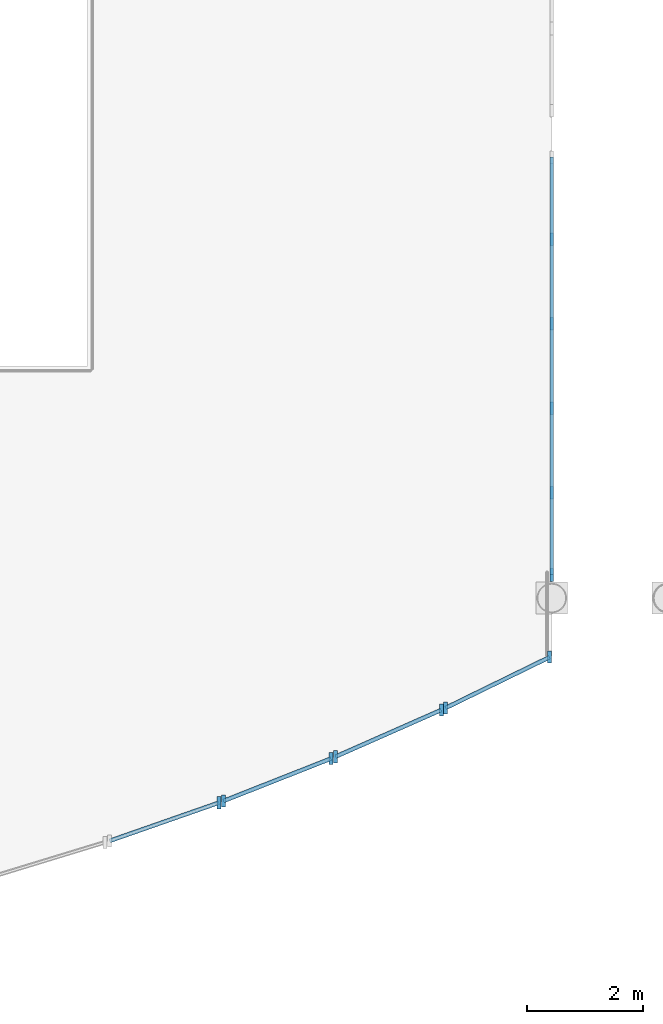
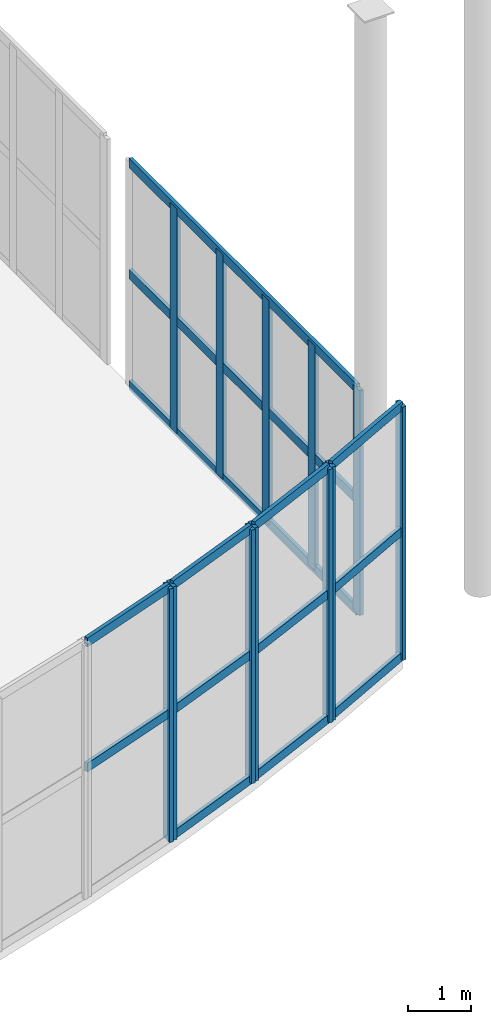
# One storey, part 28 of 77: 26 members, 5 elements without a shape of their own.
"""IFC4 building model written with IfcOpenShell, lengths in metres."""

from ifc_helpers import new_model, si_unit, direction, frame, origin, origin_2d, place, context, subcontext, project, spatial, rectangle, extrude, material, material_profile, profile_set, type_object, element, aggregate, save


model = new_model("IFC4")

# Units and contexts
model_context = context("Model", 3, precision=1e-05, world=origin(), true_north=direction((0.0, 1.0)))
body_context = subcontext(model_context, "Body", "Model", "MODEL_VIEW")
ifc_project = project(units=[si_unit("LENGTHUNIT", "METRE"), si_unit("AREAUNIT", "SQUARE_METRE"), si_unit("VOLUMEUNIT", "CUBIC_METRE"), si_unit("PLANEANGLEUNIT", "RADIAN"), si_unit("MASSUNIT", "GRAM", prefix="KILO")], contexts=[model_context])

# Site, building, storey
site_placement = place(None, origin())
site = spatial("IfcSite", under=ifc_project, at=site_placement, CompositionType="ELEMENT")
building_placement = place(site_placement, origin())
building = spatial("IfcBuilding", under=site, at=building_placement, Name="Drelvath Fold Interchange", CompositionType="ELEMENT")
storey_placement = place(building_placement, frame((0.0, 0.0, 6.0)))
storey = spatial("IfcBuildingStorey", under=building, at=storey_placement, Name="L01", CompositionType="ELEMENT", Elevation=6.0)

# Curtain wall, member
ifc_material = material(Name="Anodized Aluminium 6063-T6", Category="aluminium")
curtain_wall_type_1 = type_object("IfcCurtainWallType", Name="CW-ARC-L01", PredefinedType="USERDEFINED", material=ifc_material)
curtain_wall_1_placement = place(storey_placement, origin())
curtain_wall_1 = element("IfcCurtainWall", 1, at=curtain_wall_1_placement, inside=storey, type_object=curtain_wall_type_1, Name="Curtain wall CW-WH-L01-20", ObjectType="UNITISED CURTAIN WALL", PredefinedType="USERDEFINED")
ifc_material_profile_1 = material_profile(ifc_material, rectangle(XDim=0.070068359375, YDim=0.2099609375, at=origin_2d()), Name="AL-M 70x210")
ifc_profile_set_1 = profile_set([ifc_material_profile_1], Name="Anodized Aluminium 6063-T6")
member_type_1 = type_object("IfcMemberType", Name="ML-210", PredefinedType="MULLION", material=ifc_profile_set_1)
member_1_placement = place(storey_placement, frame((94.263916015625, 23.472900390625, 0.0), z_axis=(0.0, 0.0, 1.0), x_axis=(1.0, 0.0, 0.0)))
member_1 = element("IfcMember", 2, at=member_1_placement, type_object=member_type_1, Name="CW-WH-L01-20 mullion 1", PredefinedType="MULLION", context=body_context, shape_type="SweptSolid", body=[
    extrude(rectangle(XDim=0.070068359375, YDim=0.2099609375, at=origin_2d()), origin(), (0.0, 0.0, 1.0), 4.89990234375),
])

# Curtain wall, members
curtain_wall_2_placement = place(storey_placement, origin())
curtain_wall_2 = element("IfcCurtainWall", 3, at=curtain_wall_2_placement, inside=storey, type_object=curtain_wall_type_1, Name="Curtain wall CW-WH-L01-21", ObjectType="UNITISED CURTAIN WALL", PredefinedType="USERDEFINED")
member_2_placement = place(storey_placement, frame((94.339111328125, 23.5009765625, 0.0), z_axis=(0.0, 0.0, 1.0), x_axis=(1.0, 0.0, 0.0)))
member_2 = element("IfcMember", 4, at=member_2_placement, type_object=member_type_1, Name="CW-WH-L01-21 mullion 0", PredefinedType="MULLION", context=body_context, shape_type="SweptSolid", body=[
    extrude(rectangle(XDim=0.070068359375, YDim=0.2099609375, at=origin_2d()), origin(), (0.0, 0.0, 1.0), 4.89990234375),
])
member_3_placement = place(storey_placement, frame((96.197021484375, 24.23388671875, 0.0), z_axis=(0.0, 0.0, 1.0), x_axis=(1.0, 0.0, 0.0)))
member_3 = element("IfcMember", 5, at=member_3_placement, type_object=member_type_1, Name="CW-WH-L01-21 mullion 1", PredefinedType="MULLION", context=body_context, shape_type="SweptSolid", body=[
    extrude(rectangle(XDim=0.070068359375, YDim=0.2099609375, at=origin_2d()), origin(), (0.0, 0.0, 1.0), 4.89990234375),
])

curtain_wall_3_placement = place(storey_placement, origin())
curtain_wall_3 = element("IfcCurtainWall", 6, at=curtain_wall_3_placement, inside=storey, type_object=curtain_wall_type_1, Name="Curtain wall CW-WH-L01-22", ObjectType="UNITISED CURTAIN WALL", PredefinedType="USERDEFINED")
member_4_placement = place(storey_placement, frame((96.27099609375, 24.264892578125, 0.0), z_axis=(0.0, 0.0, 1.0), x_axis=(1.0, 0.0, 0.0)))
member_4 = element("IfcMember", 7, at=member_4_placement, type_object=member_type_1, Name="CW-WH-L01-22 mullion 0", PredefinedType="MULLION", context=body_context, shape_type="SweptSolid", body=[
    extrude(rectangle(XDim=0.070068359375, YDim=0.2099609375, at=origin_2d()), origin(), (0.0, 0.0, 1.0), 4.89990234375),
])
member_5_placement = place(storey_placement, frame((98.096923828125, 25.071044921875, 0.0), z_axis=(0.0, 0.0, 1.0), x_axis=(1.0, 0.0, 0.0)))
member_5 = element("IfcMember", 8, at=member_5_placement, type_object=member_type_1, Name="CW-WH-L01-22 mullion 1", PredefinedType="MULLION", context=body_context, shape_type="SweptSolid", body=[
    extrude(rectangle(XDim=0.070068359375, YDim=0.2099609375, at=origin_2d()), origin(), (0.0, 0.0, 1.0), 4.89990234375),
])

curtain_wall_4_placement = place(storey_placement, origin())
curtain_wall_4 = element("IfcCurtainWall", 9, at=curtain_wall_4_placement, inside=storey, type_object=curtain_wall_type_1, Name="Curtain wall CW-WH-L01-23", ObjectType="UNITISED CURTAIN WALL", PredefinedType="USERDEFINED")
member_6_placement = place(storey_placement, frame((98.169921875, 25.10498046875, 0.0), z_axis=(0.0, 0.0, 1.0), x_axis=(1.0, 0.0, 0.0)))
member_6 = element("IfcMember", 10, at=member_6_placement, type_object=member_type_1, Name="CW-WH-L01-23 mullion 0", PredefinedType="MULLION", context=body_context, shape_type="SweptSolid", body=[
    extrude(rectangle(XDim=0.070068359375, YDim=0.2099609375, at=origin_2d()), origin(), (0.0, 0.0, 1.0), 4.89990234375),
])
member_7_placement = place(storey_placement, frame((99.964111328125, 25.98193359375, 0.0), z_axis=(0.0, 0.0, 1.0), x_axis=(1.0, 0.0, 0.0)))
member_7 = element("IfcMember", 11, at=member_7_placement, type_object=member_type_1, Name="CW-WH-L01-23 mullion 1", PredefinedType="MULLION", context=body_context, shape_type="SweptSolid", body=[
    extrude(rectangle(XDim=0.070068359375, YDim=0.2099609375, at=origin_2d()), origin(), (0.0, 0.0, 1.0), 4.89990234375),
])

curtain_wall_type_2 = type_object("IfcCurtainWallType", Name="CW-CON-520", PredefinedType="USERDEFINED", material=ifc_material)
curtain_wall_5_placement = place(storey_placement, origin())
curtain_wall_5 = element("IfcCurtainWall", 12, at=curtain_wall_5_placement, inside=storey, type_object=curtain_wall_type_2, Name="Curtain wall CW-V1E-L01-Y27", ObjectType="UNITISED CURTAIN WALL", PredefinedType="USERDEFINED")
ifc_material_profile_2 = material_profile(ifc_material, rectangle(XDim=0.06494140625, YDim=0.219970703125, at=origin_2d()), Name="AL-M 65x220")
ifc_profile_set_2 = profile_set([ifc_material_profile_2], Name="Anodized Aluminium 6063-T6")
member_type_2 = type_object("IfcMemberType", Name="ML-220", PredefinedType="MULLION", material=ifc_profile_set_2)
member_8_placement = place(storey_placement, frame((100.0, 27.39990234375, 0.0), z_axis=(0.0, 0.0, 1.0), x_axis=(1.0, 0.0, 0.0)))
member_8 = element("IfcMember", 13, at=member_8_placement, type_object=member_type_2, Name="CW-V1E-L01-Y27 mullion 0", PredefinedType="MULLION", context=body_context, shape_type="SweptSolid", body=[
    extrude(rectangle(XDim=0.06494140625, YDim=0.219970703125, at=origin_2d()), origin(), (0.0, 0.0, 1.0), 4.35009765625),
])
member_9_placement = place(storey_placement, frame((100.0, 28.81591796875, 0.0), z_axis=(0.0, 0.0, 1.0), x_axis=(1.0, 0.0, 0.0)))
member_9 = element("IfcMember", 14, at=member_9_placement, type_object=member_type_2, Name="CW-V1E-L01-Y27 mullion 1", PredefinedType="MULLION", context=body_context, shape_type="SweptSolid", body=[
    extrude(rectangle(XDim=0.06494140625, YDim=0.219970703125, at=origin_2d()), origin(), (0.0, 0.0, 1.0), 4.35009765625),
])
member_10_placement = place(storey_placement, frame((100.0, 30.27197265625, 0.0), z_axis=(0.0, 0.0, 1.0), x_axis=(1.0, 0.0, 0.0)))
member_10 = element("IfcMember", 15, at=member_10_placement, type_object=member_type_2, Name="CW-V1E-L01-Y27 mullion 2", PredefinedType="MULLION", context=body_context, shape_type="SweptSolid", body=[
    extrude(rectangle(XDim=0.06494140625, YDim=0.219970703125, at=origin_2d()), origin(), (0.0, 0.0, 1.0), 4.35009765625),
])
member_11_placement = place(storey_placement, frame((100.0, 31.72802734375, 0.0), z_axis=(0.0, 0.0, 1.0), x_axis=(1.0, 0.0, 0.0)))
member_11 = element("IfcMember", 16, at=member_11_placement, type_object=member_type_2, Name="CW-V1E-L01-Y27 mullion 3", PredefinedType="MULLION", context=body_context, shape_type="SweptSolid", body=[
    extrude(rectangle(XDim=0.06494140625, YDim=0.219970703125, at=origin_2d()), origin(), (0.0, 0.0, 1.0), 4.35009765625),
])
member_12_placement = place(storey_placement, frame((100.0, 33.18408203125, 0.0), z_axis=(0.0, 0.0, 1.0), x_axis=(1.0, 0.0, 0.0)))
member_12 = element("IfcMember", 17, at=member_12_placement, type_object=member_type_2, Name="CW-V1E-L01-Y27 mullion 4", PredefinedType="MULLION", context=body_context, shape_type="SweptSolid", body=[
    extrude(rectangle(XDim=0.06494140625, YDim=0.219970703125, at=origin_2d()), origin(), (0.0, 0.0, 1.0), 4.35009765625),
])

# Member
ifc_material_profile_3 = material_profile(ifc_material, rectangle(XDim=0.070068359375, YDim=0.169921875, at=origin_2d()), Name="AL-T 70x170")
ifc_profile_set_3 = profile_set([ifc_material_profile_3], Name="Anodized Aluminium 6063-T6")
member_type_3 = type_object("IfcMemberType", Name="TR-170", PredefinedType="USERDEFINED", material=ifc_profile_set_3)
member_13_placement = place(storey_placement, frame((92.37890625, 22.81396484375, 2.449951171875), z_axis=(0.943985993954, 0.32998551971, 0.0), x_axis=(-0.32998551971, 0.943985993954, 0.0)))
member_13 = element("IfcMember", 18, at=member_13_placement, type_object=member_type_3, Name="CW-WH-L01-20 transom 1", ObjectType="TRANSOM", PredefinedType="USERDEFINED", context=body_context, shape_type="SweptSolid", body=[
    extrude(rectangle(XDim=0.070068359375, YDim=0.169921875, at=origin_2d()), origin(), (0.0, 0.0, 1.0), 1.996826171875),
])

member_14_placement = place(storey_placement, frame((92.37890625, 22.81396484375, 4.8701171875), z_axis=(0.943985993954, 0.32998551971, 0.0), x_axis=(-0.32998551971, 0.943985993954, 0.0)))
member_14 = element("IfcMember", 19, at=member_14_placement, type_object=member_type_3, Name="CW-WH-L01-20 transom 2", ObjectType="TRANSOM", PredefinedType="USERDEFINED", context=body_context, shape_type="SweptSolid", body=[
    extrude(rectangle(XDim=0.070068359375, YDim=0.169921875, at=origin_2d()), origin(), (0.0, 0.0, 1.0), 1.996826171875),
])

aggregate(curtain_wall_1, [member_1, member_13, member_14])

member_15_placement = place(storey_placement, frame((94.339111328125, 23.5009765625, 0.030029296875), z_axis=(0.930236495688, 0.366960572938, 0.0), x_axis=(-0.366960572938, 0.930236495688, 0.0)))
member_15 = element("IfcMember", 20, at=member_15_placement, type_object=member_type_3, Name="CW-WH-L01-21 transom 0", ObjectType="TRANSOM", PredefinedType="USERDEFINED", context=body_context, shape_type="SweptSolid", body=[
    extrude(rectangle(XDim=0.070068359375, YDim=0.169921875, at=origin_2d()), origin(), (0.0, 0.0, 1.0), 1.997314453125),
])

member_16_placement = place(storey_placement, frame((94.339111328125, 23.5009765625, 2.449951171875), z_axis=(0.930236495688, 0.366960572938, 0.0), x_axis=(-0.366960572938, 0.930236495688, 0.0)))
member_16 = element("IfcMember", 21, at=member_16_placement, type_object=member_type_3, Name="CW-WH-L01-21 transom 1", ObjectType="TRANSOM", PredefinedType="USERDEFINED", context=body_context, shape_type="SweptSolid", body=[
    extrude(rectangle(XDim=0.070068359375, YDim=0.169921875, at=origin_2d()), origin(), (0.0, 0.0, 1.0), 1.997314453125),
])

member_17_placement = place(storey_placement, frame((94.339111328125, 23.5009765625, 4.8701171875), z_axis=(0.930236495688, 0.366960572938, 0.0), x_axis=(-0.366960572938, 0.930236495688, 0.0)))
member_17 = element("IfcMember", 22, at=member_17_placement, type_object=member_type_3, Name="CW-WH-L01-21 transom 2", ObjectType="TRANSOM", PredefinedType="USERDEFINED", context=body_context, shape_type="SweptSolid", body=[
    extrude(rectangle(XDim=0.070068359375, YDim=0.169921875, at=origin_2d()), origin(), (0.0, 0.0, 1.0), 1.997314453125),
])

aggregate(curtain_wall_2, [member_2, member_3, member_15, member_16, member_17])

member_18_placement = place(storey_placement, frame((96.27099609375, 24.264892578125, 0.030029296875), z_axis=(0.914807496294, 0.403890139425, 0.0), x_axis=(-0.403890139425, 0.914807496294, 0.0)))
member_18 = element("IfcMember", 23, at=member_18_placement, type_object=member_type_3, Name="CW-WH-L01-22 transom 0", ObjectType="TRANSOM", PredefinedType="USERDEFINED", context=body_context, shape_type="SweptSolid", body=[
    extrude(rectangle(XDim=0.070068359375, YDim=0.169921875, at=origin_2d()), origin(), (0.0, 0.0, 1.0), 1.995849609375),
])

member_19_placement = place(storey_placement, frame((96.27099609375, 24.264892578125, 2.449951171875), z_axis=(0.914807496294, 0.403890139425, 0.0), x_axis=(-0.403890139425, 0.914807496294, 0.0)))
member_19 = element("IfcMember", 24, at=member_19_placement, type_object=member_type_3, Name="CW-WH-L01-22 transom 1", ObjectType="TRANSOM", PredefinedType="USERDEFINED", context=body_context, shape_type="SweptSolid", body=[
    extrude(rectangle(XDim=0.070068359375, YDim=0.169921875, at=origin_2d()), origin(), (0.0, 0.0, 1.0), 1.995849609375),
])

member_20_placement = place(storey_placement, frame((96.27099609375, 24.264892578125, 4.8701171875), z_axis=(0.914807496294, 0.403890139425, 0.0), x_axis=(-0.403890139425, 0.914807496294, 0.0)))
member_20 = element("IfcMember", 25, at=member_20_placement, type_object=member_type_3, Name="CW-WH-L01-22 transom 2", ObjectType="TRANSOM", PredefinedType="USERDEFINED", context=body_context, shape_type="SweptSolid", body=[
    extrude(rectangle(XDim=0.070068359375, YDim=0.169921875, at=origin_2d()), origin(), (0.0, 0.0, 1.0), 1.995849609375),
])

aggregate(curtain_wall_3, [member_4, member_5, member_18, member_19, member_20])

member_21_placement = place(storey_placement, frame((98.169921875, 25.10498046875, 0.030029296875), z_axis=(0.89842509126, 0.439126810152, 0.0), x_axis=(-0.439126810152, 0.89842509126, 0.0)))
member_21 = element("IfcMember", 26, at=member_21_placement, type_object=member_type_3, Name="CW-WH-L01-23 transom 0", ObjectType="TRANSOM", PredefinedType="USERDEFINED", context=body_context, shape_type="SweptSolid", body=[
    extrude(rectangle(XDim=0.070068359375, YDim=0.169921875, at=origin_2d()), origin(), (0.0, 0.0, 1.0), 1.9970703125),
])

member_22_placement = place(storey_placement, frame((98.169921875, 25.10498046875, 2.449951171875), z_axis=(0.89842509126, 0.439126810152, 0.0), x_axis=(-0.439126810152, 0.89842509126, 0.0)))
member_22 = element("IfcMember", 27, at=member_22_placement, type_object=member_type_3, Name="CW-WH-L01-23 transom 1", ObjectType="TRANSOM", PredefinedType="USERDEFINED", context=body_context, shape_type="SweptSolid", body=[
    extrude(rectangle(XDim=0.070068359375, YDim=0.169921875, at=origin_2d()), origin(), (0.0, 0.0, 1.0), 1.9970703125),
])

member_23_placement = place(storey_placement, frame((98.169921875, 25.10498046875, 4.8701171875), z_axis=(0.89842509126, 0.439126810152, 0.0), x_axis=(-0.439126810152, 0.89842509126, 0.0)))
member_23 = element("IfcMember", 28, at=member_23_placement, type_object=member_type_3, Name="CW-WH-L01-23 transom 2", ObjectType="TRANSOM", PredefinedType="USERDEFINED", context=body_context, shape_type="SweptSolid", body=[
    extrude(rectangle(XDim=0.070068359375, YDim=0.169921875, at=origin_2d()), origin(), (0.0, 0.0, 1.0), 1.9970703125),
])

aggregate(curtain_wall_4, [member_6, member_7, member_21, member_22, member_23])

ifc_material_profile_4 = material_profile(ifc_material, rectangle(XDim=0.06494140625, YDim=0.179931640625, at=origin_2d()), Name="AL-T 65x180")
ifc_profile_set_4 = profile_set([ifc_material_profile_4], Name="Anodized Aluminium 6063-T6")
member_type_4 = type_object("IfcMemberType", Name="TR-180", PredefinedType="USERDEFINED", material=ifc_profile_set_4)
member_24_placement = place(storey_placement, frame((100.0, 27.39990234375, 0.030029296875), z_axis=(0.0, 1.0, 0.0), x_axis=(-1.0, 0.0, 0.0)))
member_24 = element("IfcMember", 29, at=member_24_placement, type_object=member_type_4, Name="CW-V1E-L01-Y27 transom 0", ObjectType="TRANSOM", PredefinedType="USERDEFINED", context=body_context, shape_type="SweptSolid", body=[
    extrude(rectangle(XDim=0.06494140625, YDim=0.179931640625, at=origin_2d()), origin(), (0.0, 0.0, 1.0), 7.2001953125),
])

member_25_placement = place(storey_placement, frame((100.0, 27.39990234375, 2.175048828125), z_axis=(0.0, 1.0, 0.0), x_axis=(-1.0, 0.0, 0.0)))
member_25 = element("IfcMember", 30, at=member_25_placement, type_object=member_type_4, Name="CW-V1E-L01-Y27 transom 1", ObjectType="TRANSOM", PredefinedType="USERDEFINED", context=body_context, shape_type="SweptSolid", body=[
    extrude(rectangle(XDim=0.06494140625, YDim=0.179931640625, at=origin_2d()), origin(), (0.0, 0.0, 1.0), 7.2001953125),
])

member_26_placement = place(storey_placement, frame((100.0, 27.39990234375, 4.320068359375), z_axis=(0.0, 1.0, 0.0), x_axis=(-1.0, 0.0, 0.0)))
member_26 = element("IfcMember", 31, at=member_26_placement, type_object=member_type_4, Name="CW-V1E-L01-Y27 transom 2", ObjectType="TRANSOM", PredefinedType="USERDEFINED", context=body_context, shape_type="SweptSolid", body=[
    extrude(rectangle(XDim=0.06494140625, YDim=0.179931640625, at=origin_2d()), origin(), (0.0, 0.0, 1.0), 7.2001953125),
])

aggregate(curtain_wall_5, [member_8, member_9, member_10, member_11, member_12, member_24, member_25, member_26])

save(model, "model.ifc")
